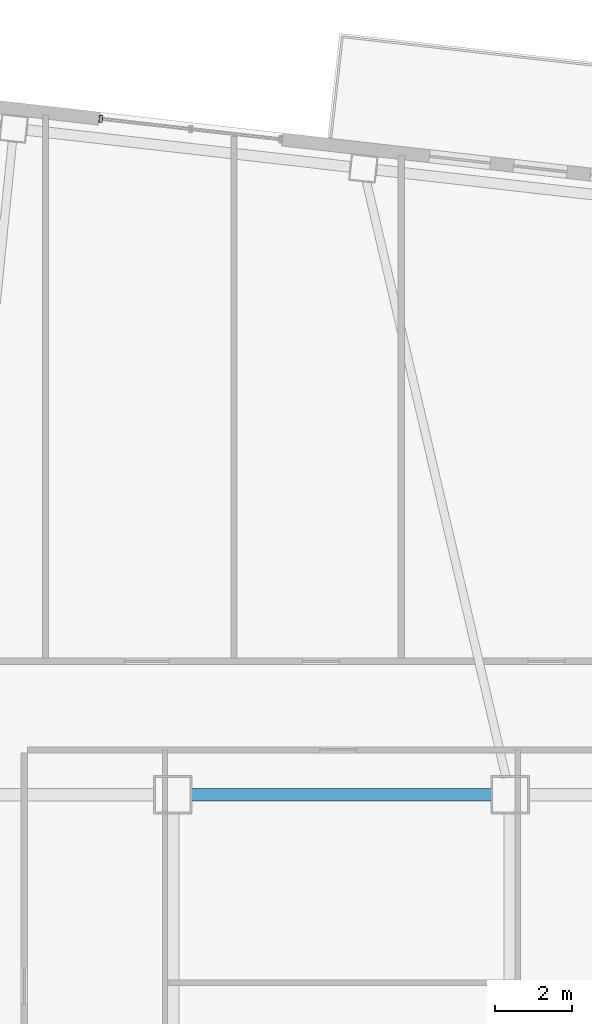
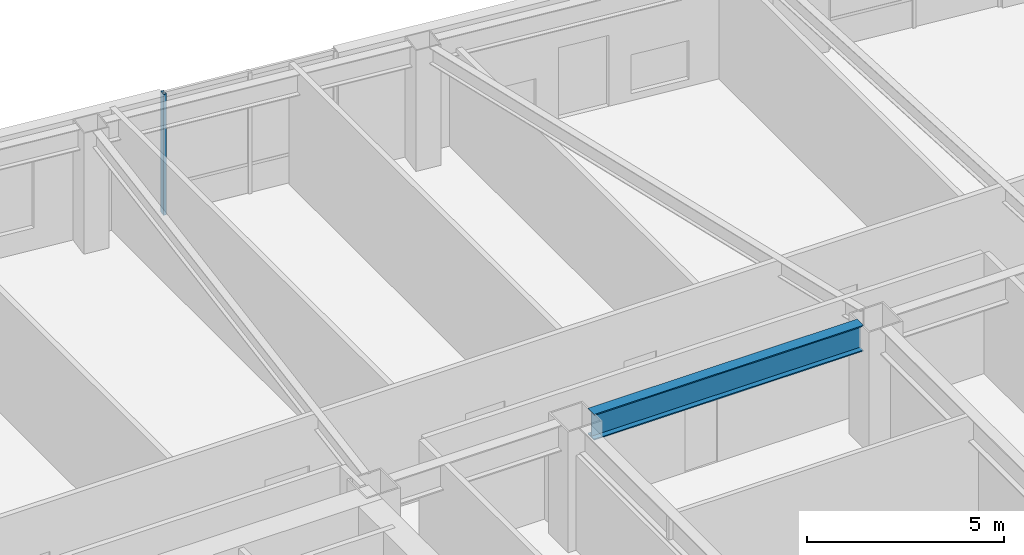
# One storey, part 6 of 21: 1 beam, 1 member, 1 element without a shape of its own.
"""IFC4 building model written with IfcOpenShell, lengths in metres."""

from ifc_helpers import new_model, si_unit, direction, frame, origin, origin_2d, place, context, subcontext, project, spatial, hollow_rectangle, i_section, extrude, material, layer, layer_set, material_profile, profile_set, type_object, element, aggregate, save


model = new_model("IFC4")

# Units and contexts
model_context = context("Model", 3, precision=1e-05, world=origin(), true_north=direction((0.0, 1.0)))
body_context = subcontext(model_context, "Body", "Model", "MODEL_VIEW")
ifc_project = project(units=[si_unit("LENGTHUNIT", "METRE"), si_unit("AREAUNIT", "SQUARE_METRE"), si_unit("VOLUMEUNIT", "CUBIC_METRE"), si_unit("PLANEANGLEUNIT", "RADIAN"), si_unit("MASSUNIT", "GRAM", prefix="KILO")], contexts=[model_context])

# Site, building, storey
site_placement = place(None, origin())
site = spatial("IfcSite", under=ifc_project, at=site_placement, CompositionType="ELEMENT")
building_placement = place(site_placement, origin())
building = spatial("IfcBuilding", under=site, at=building_placement, Name="Tavrogorsk Clinical Tower", CompositionType="ELEMENT")
storey_placement = place(building_placement, frame((0.0, 0.0, 125.39990234375)))
storey = spatial("IfcBuildingStorey", under=building, at=storey_placement, Name="L28", CompositionType="ELEMENT", Elevation=125.39990234375)

# Curtain wall, member
ifc_material_1 = material(Name="Anodised aluminium and triple IGU glazing", Category="aluminium")
ifc_layer = layer(ifc_material_1, 0.179931640625)
ifc_layer_set = layer_set([ifc_layer], Name="Anodised aluminium and triple IGU glazing")
curtain_wall_type = type_object("IfcCurtainWallType", Name="CW2_NorthSlot", PredefinedType="NOTDEFINED", material=ifc_layer_set)
curtain_wall_placement = place(storey_placement, origin())
curtain_wall = element("IfcCurtainWall", 1, at=curtain_wall_placement, inside=storey, type_object=curtain_wall_type, Name="L28 Curtain Wall CW-L28-N-SLOT-1", PredefinedType="NOTDEFINED")
ifc_material_2 = material(Name="Anodised aluminium alloy AW-6060", Category="aluminium")
ifc_material_profile_1 = material_profile(ifc_material_2, hollow_rectangle(XDim=0.090087890625, YDim=0.179931640625, WallThickness=0.00634765625, at=origin_2d()), Name="RHS-180x90x6.3")
ifc_profile_set_1 = profile_set([ifc_material_profile_1], Name="Anodised aluminium alloy AW-6060")
member_type = type_object("IfcMemberType", Name="CwMullion_180x90", PredefinedType="MULLION", material=ifc_profile_set_1)
member_placement = place(storey_placement, frame((-6.273681640625, 23.9775390625, 0.0), z_axis=(0.0, 0.0, 1.0), x_axis=(-0.993571858269, 0.113203191016, 0.0)))
member = element("IfcMember", 2, at=member_placement, type_object=member_type, Name="CW-L28-N-SLOT-1 Mullion 3", PredefinedType="MULLION", context=body_context, shape_type="SweptSolid", body=[
    extrude(hollow_rectangle(XDim=0.090087890625, YDim=0.179931640625, WallThickness=0.00634765625, at=origin_2d()), origin(), (0.0, 0.0, 1.0), 3.739990234375),
])
aggregate(curtain_wall, [member])

# Beam
ifc_material_3 = material(Name="Structural steel S390", Category="steel")
ifc_material_profile_2 = material_profile(ifc_material_3, i_section(OverallWidth=0.320068359375, OverallDepth=0.800048828125, WebThickness=0.02001953125, FlangeThickness=0.033935546875, at=origin_2d()), Name="B-800x320x20x34")
ifc_profile_set_2 = profile_set([ifc_material_profile_2], Name="Structural steel S390")
beam_type = type_object("IfcBeamType", Name="PrimaryGirder_B800", PredefinedType="USERDEFINED", material=ifc_profile_set_2)
beam_placement = place(storey_placement, frame((-3.93994140625, 6.35009765625, 3.340087890625), z_axis=(1.0, 0.0, 0.0), x_axis=(0.0, 1.0, 0.0)))
element("IfcBeam", 3, at=beam_placement, inside=storey, type_object=beam_type, Name="L28 Primary Spine Girder MG-04", ObjectType="GIRDER", PredefinedType="USERDEFINED", context=body_context, shape_type="SweptSolid", body=[
    extrude(i_section(OverallWidth=0.320068359375, OverallDepth=0.800048828125, WebThickness=0.02001953125, FlangeThickness=0.033935546875, at=origin_2d()), origin(), (0.0, 0.0, 1.0), 7.8798828125),
])

save(model, "model.ifc")
